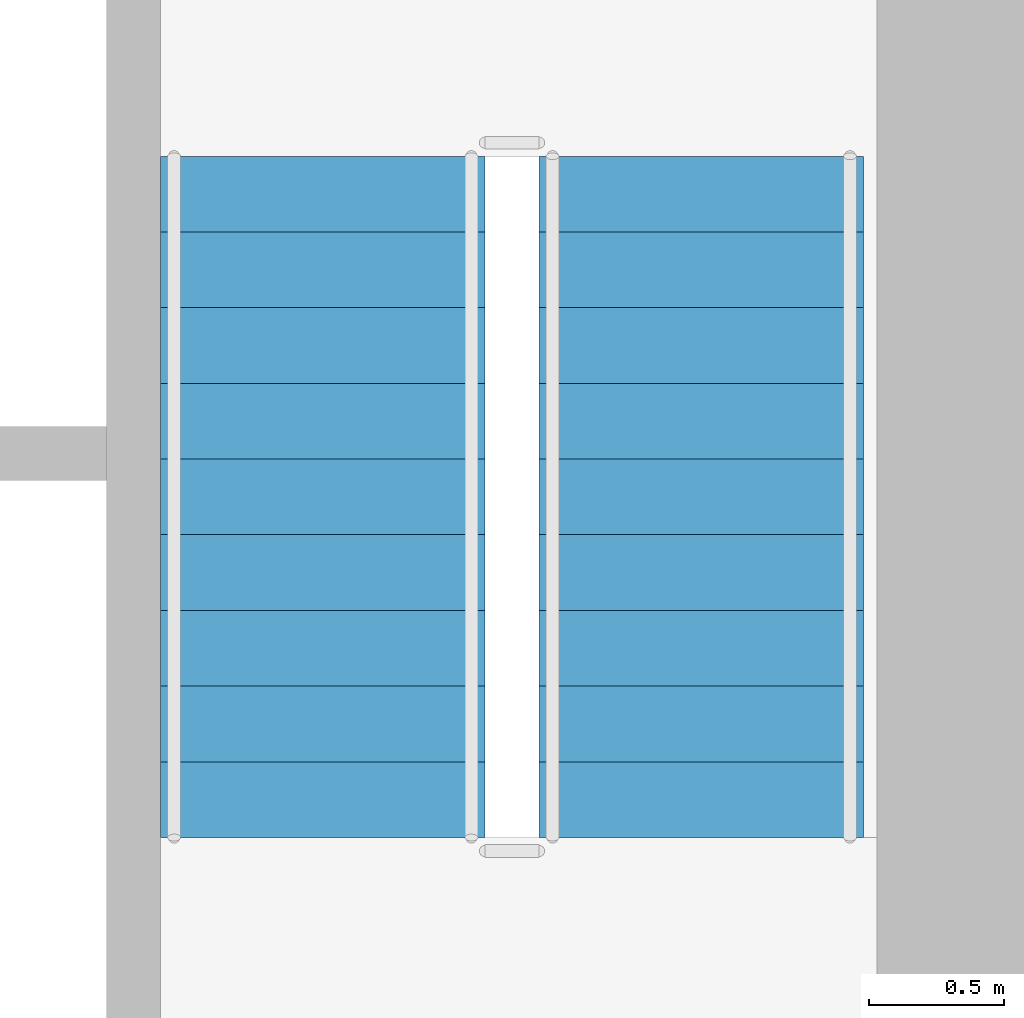
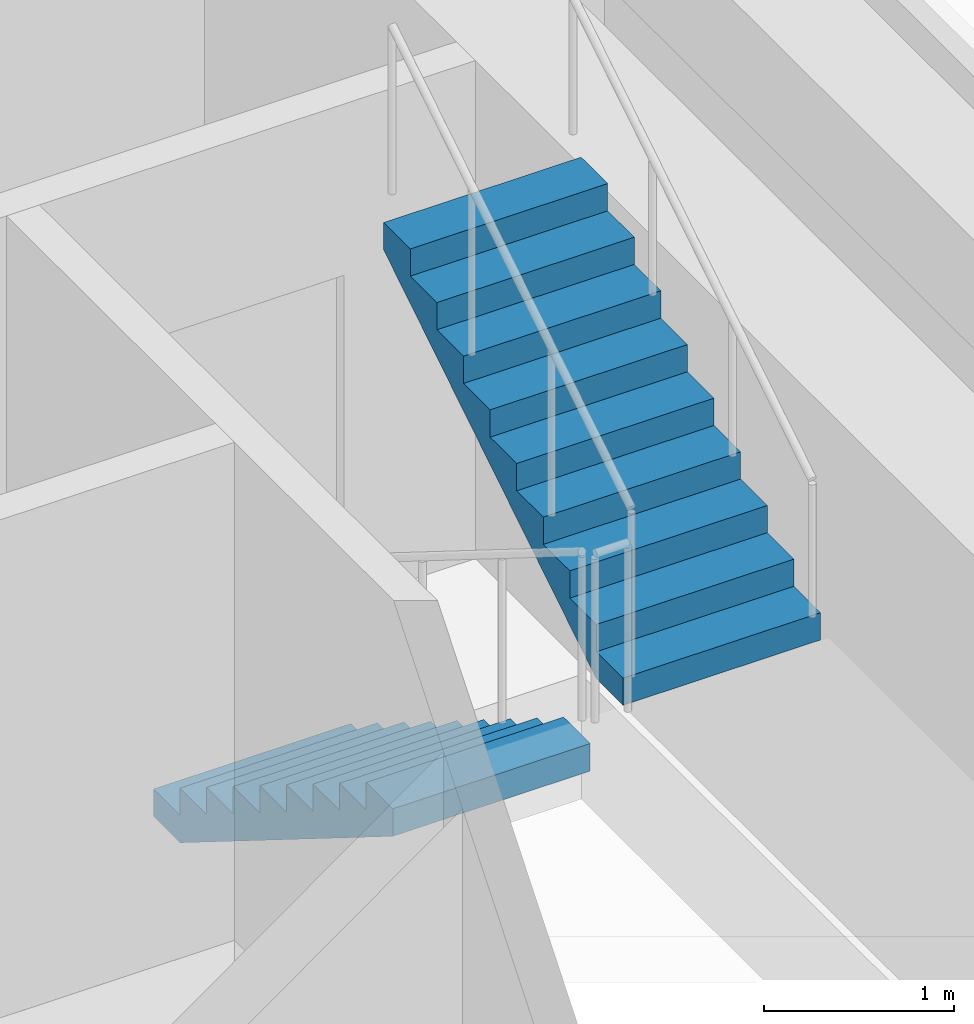
# One storey, part 10 of 20: 2 stair flights, 1 element without a shape of its own.
"""IFC4 building model written with IfcOpenShell, lengths in metres."""

from ifc_helpers import new_model, si_unit, direction, frame, origin, place, context, subcontext, project, spatial, polyline, outline, extrude, material, type_object, element, aggregate, save


model = new_model("IFC4")

# Units and contexts
model_context = context("Model", 3, precision=1e-05, world=origin(), true_north=direction((0.0, 1.0)))
body_context = subcontext(model_context, "Body", "Model", "MODEL_VIEW")
ifc_project = project(units=[si_unit("LENGTHUNIT", "METRE"), si_unit("AREAUNIT", "SQUARE_METRE"), si_unit("VOLUMEUNIT", "CUBIC_METRE"), si_unit("PLANEANGLEUNIT", "RADIAN"), si_unit("MASSUNIT", "GRAM", prefix="KILO")], contexts=[model_context])

# Site, building, storey
site_placement = place(None, origin())
site = spatial("IfcSite", under=ifc_project, at=site_placement, CompositionType="ELEMENT")
building_placement = place(site_placement, origin())
building = spatial("IfcBuilding", under=site, at=building_placement, Name="Kiln Ring Residences", CompositionType="ELEMENT")
storey_placement = place(building_placement, frame((0.0, 0.0, 188.89990234375)))
storey = spatial("IfcBuildingStorey", under=building, at=storey_placement, Name="L48", CompositionType="ELEMENT", Elevation=188.89990234375)

# Stair, stair flights
ifc_material_1 = material(Name="Concrete C40/50", Category="concrete")
stair_type = type_object("IfcStairType", Name="CORE-STAIR", PredefinedType="HALF_TURN_STAIR", material=ifc_material_1)
stair_placement = place(storey_placement, origin())
stair = element("IfcStair", 1, at=stair_placement, inside=storey, type_object=stair_type, Name="L48 stair E-STN", PredefinedType="HALF_TURN_STAIR")
ifc_material_2 = material(Name="Concrete C40/50", Category="concrete")
stair_flight_type = type_object("IfcStairFlightType", Name="CORE-STAIR-FLIGHT", PredefinedType="STRAIGHT", material=ifc_material_2)
stair_flight_1_placement = place(storey_placement, frame((21.39990234375, 8.39990234375, 0.0), z_axis=(0.0, 0.0, 1.0), x_axis=(0.0, -1.0, 0.0)))
stair_flight_1 = element("IfcStairFlight", 2, at=stair_flight_1_placement, type_object=stair_flight_type, Name="E-STN flight 1", NumberOfRisers=10, NumberOfTreads=9, PredefinedType="STRAIGHT", RiserHeight=0.175, TreadLength=0.28, context=body_context, shape_type="SweptSolid", body=[
    extrude(outline(polyline([(0.0, 0.0), (0.0, 0.175048828125), (0.280029296875, 0.175048828125), (0.280029296875, 0.35009765625), (0.56005859375, 0.35009765625), (0.56005859375, 0.52490234375), (0.840087890625, 0.52490234375), (0.840087890625, 0.699951171875), (1.1201171875, 0.699951171875), (1.1201171875, 0.875), (1.39990234375, 0.875), (1.39990234375, 1.050048828125), (1.679931640625, 1.050048828125), (1.679931640625, 1.22509765625), (1.9599609375, 1.22509765625), (1.9599609375, 1.39990234375), (2.239990234375, 1.39990234375), (2.239990234375, 1.574951171875), (2.52001953125, 1.574951171875), (2.52001953125, 1.75), (2.52001953125, 1.398193359375), (0.28271484375, 0.0), (0.0, 0.0)])), frame((0.0, 0.60009765625, 0.0), z_axis=(0.0, -1.0, 0.0), x_axis=(1.0, 0.0, 0.0)), (0.0, 0.0, 1.0), 1.199951171875),
])
stair_flight_2_placement = place(storey_placement, frame((22.800048828125, 5.8798828125, 1.75), z_axis=(0.0, 0.0, 1.0), x_axis=(0.0, 1.0, 0.0)))
stair_flight_2 = element("IfcStairFlight", 3, at=stair_flight_2_placement, type_object=stair_flight_type, Name="E-STN flight 2", NumberOfRisers=10, NumberOfTreads=9, PredefinedType="STRAIGHT", RiserHeight=0.175, TreadLength=0.28, context=body_context, shape_type="SweptSolid", body=[
    extrude(outline(polyline([(0.0, 0.0), (0.0, 0.175048828125), (0.280029296875, 0.175048828125), (0.280029296875, 0.35009765625), (0.56005859375, 0.35009765625), (0.56005859375, 0.52490234375), (0.840087890625, 0.52490234375), (0.840087890625, 0.699951171875), (1.1201171875, 0.699951171875), (1.1201171875, 0.875), (1.39990234375, 0.875), (1.39990234375, 1.050048828125), (1.679931640625, 1.050048828125), (1.679931640625, 1.22509765625), (1.9599609375, 1.22509765625), (1.9599609375, 1.39990234375), (2.239990234375, 1.39990234375), (2.239990234375, 1.574951171875), (2.52001953125, 1.574951171875), (2.52001953125, 1.75), (2.52001953125, 1.398193359375), (0.28271484375, 0.0), (0.0, 0.0)])), frame((0.0, 0.60009765625, 0.0), z_axis=(0.0, -1.0, 0.0), x_axis=(1.0, 0.0, 0.0)), (0.0, 0.0, 1.0), 1.199951171875),
])
aggregate(stair, [stair_flight_1, stair_flight_2])

save(model, "model.ifc")
